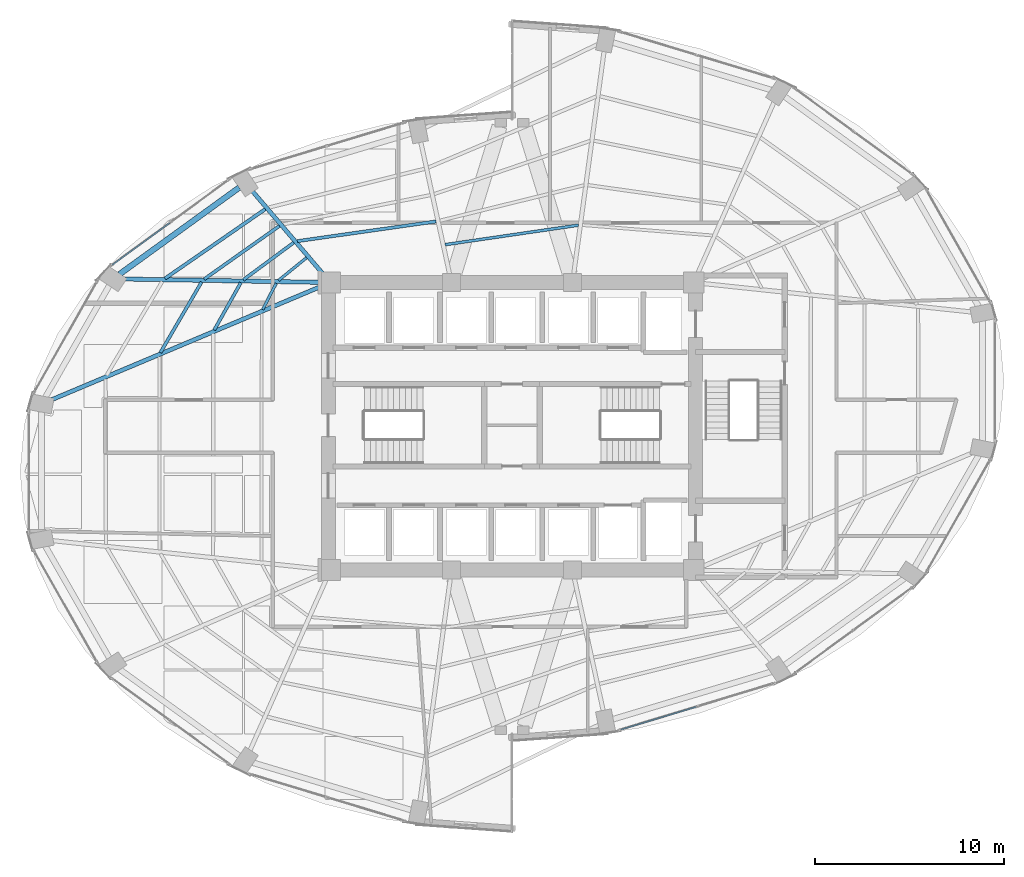
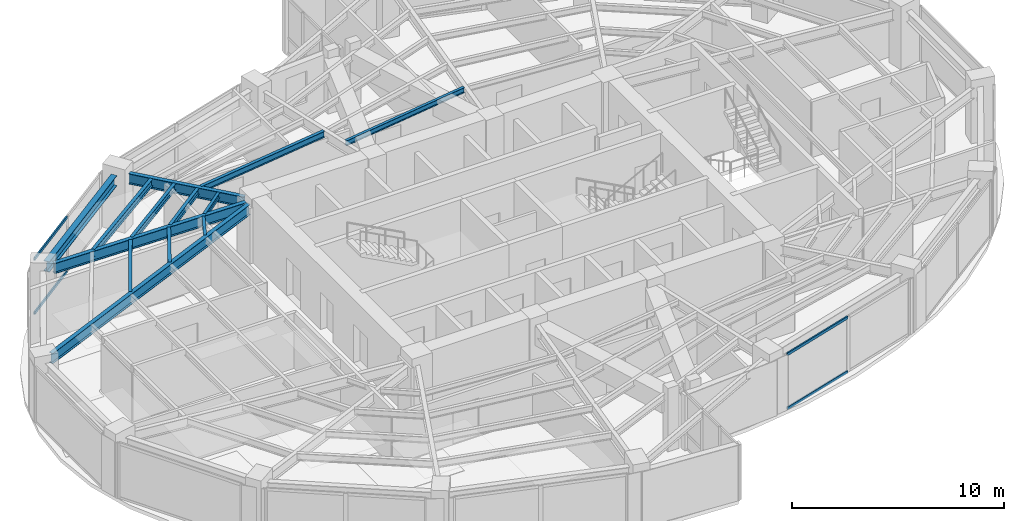
# One storey, part 9 of 24: 13 beams, 4 members, 2 elements without a shape of their own.
"""IFC4 building model written with IfcOpenShell, lengths in metres."""

from ifc_helpers import new_model, si_unit, direction, frame, origin, origin_2d, place, context, subcontext, project, spatial, hollow_rectangle, i_section, extrude, material, layer, layer_set, material_profile, profile_set, type_object, element, aggregate, save


model = new_model("IFC4")

# Units and contexts
model_context = context("Model", 3, precision=1e-05, world=origin(), true_north=direction((0.0, 1.0)))
body_context = subcontext(model_context, "Body", "Model", "MODEL_VIEW")
ifc_project = project(units=[si_unit("LENGTHUNIT", "METRE"), si_unit("AREAUNIT", "SQUARE_METRE"), si_unit("VOLUMEUNIT", "CUBIC_METRE"), si_unit("PLANEANGLEUNIT", "RADIAN"), si_unit("MASSUNIT", "GRAM", prefix="KILO")], contexts=[model_context])

# Site, building, storey
site_placement = place(None, origin())
site = spatial("IfcSite", under=ifc_project, at=site_placement, CompositionType="ELEMENT")
building_placement = place(site_placement, origin())
building = spatial("IfcBuilding", under=site, at=building_placement, Name="Lazwardi Medical Tower", CompositionType="ELEMENT")
storey_placement = place(building_placement, frame((0.0, 0.0, 129.16796875)))
storey = spatial("IfcBuildingStorey", under=building, at=storey_placement, Name="L33", CompositionType="ELEMENT", Elevation=129.16796875)

# Beams
ifc_material_1 = material(Name="Steel S355", Category="steel")
ifc_material_profile_1 = material_profile(ifc_material_1, i_section(OverallWidth=0.300048828125, OverallDepth=0.60009765625, WebThickness=0.015380859375, FlangeThickness=0.030029296875, at=origin_2d()), Name="HEB 600")
ifc_profile_set_1 = profile_set([ifc_material_profile_1], Name="Steel S355")
beam_type_1 = type_object("IfcBeamType", Name="BM-RB-Z2", PredefinedType="BEAM", material=ifc_profile_set_1)
beam_1_placement = place(storey_placement, frame((21.584228515625, 40.6171875, 2.89794921875), z_axis=(-0.810041907649, -0.586371987609, 0.0), x_axis=(0.586371987609, -0.810041907649, 0.0)))
element("IfcBeam", 1, at=beam_1_placement, inside=storey, type_object=beam_type_1, Name="Ring beam RB-03 B10 L33", PredefinedType="BEAM", context=body_context, shape_type="SweptSolid", body=[
    extrude(i_section(OverallWidth=0.300048828125, OverallDepth=0.60009765625, WebThickness=0.015380859375, FlangeThickness=0.030029296875, at=origin_2d()), origin(), (0.0, 0.0, 1.0), 7.814208984375),
])
ifc_material_profile_2 = material_profile(ifc_material_1, i_section(OverallWidth=0.219970703125, OverallDepth=0.60009765625, WebThickness=0.011962890625, FlangeThickness=0.01904296875, at=origin_2d()), Name="IPE 600")
ifc_profile_set_2 = profile_set([ifc_material_profile_2], Name="Steel S355")
beam_type_2 = type_object("IfcBeamType", Name="BM-RG-W1", PredefinedType="BEAM", material=ifc_profile_set_2)
beam_2_placement = place(storey_placement, frame((22.292724609375, 40.416259765625, 2.89794921875), z_axis=(0.648870567436, -0.760898801889, 0.0), x_axis=(0.760898801889, 0.648870567436, 0.0)))
element("IfcBeam", 2, at=beam_2_placement, inside=storey, type_object=beam_type_2, Name="Radial girder RG-02 R10 L33", PredefinedType="BEAM", context=body_context, shape_type="SweptSolid", body=[
    extrude(i_section(OverallWidth=0.219970703125, OverallDepth=0.60009765625, WebThickness=0.011962890625, FlangeThickness=0.01904296875, at=origin_2d()), origin(), (0.0, 0.0, 1.0), 5.794677734375),
])
beam_3_placement = place(storey_placement, frame((15.502197265625, 35.784912109375, 2.89794921875), z_axis=(0.99985616395, -0.016960289263, 0.0), x_axis=(0.016960289263, 0.99985616395, 0.0)))
element("IfcBeam", 3, at=beam_3_placement, inside=storey, type_object=beam_type_2, Name="Radial girder RG-02 R11 L33", PredefinedType="BEAM", context=body_context, shape_type="SweptSolid", body=[
    extrude(i_section(OverallWidth=0.219970703125, OverallDepth=0.60009765625, WebThickness=0.011962890625, FlangeThickness=0.01904296875, at=origin_2d()), origin(), (0.0, 0.0, 1.0), 10.3642578125),
])
beam_4_placement = place(storey_placement, frame((11.671630859375, 29.40478515625, 2.89794921875), z_axis=(0.921775176005, 0.38772480563, 0.0), x_axis=(-0.38772480563, 0.921775176005, 0.0)))
element("IfcBeam", 4, at=beam_4_placement, inside=storey, type_object=beam_type_2, Name="Radial girder RG-02 R12 L33", PredefinedType="BEAM", context=body_context, shape_type="SweptSolid", body=[
    extrude(i_section(OverallWidth=0.219970703125, OverallDepth=0.60009765625, WebThickness=0.011962890625, FlangeThickness=0.01904296875, at=origin_2d()), origin(), (0.0, 0.0, 1.0), 15.443359375),
])
ifc_material_profile_3 = material_profile(ifc_material_1, i_section(OverallWidth=0.179931640625, OverallDepth=0.39990234375, WebThickness=0.008544921875, FlangeThickness=0.013427734375, at=origin_2d()), Name="IPE 400")
ifc_profile_set_3 = profile_set([ifc_material_profile_3], Name="Steel S355")
beam_type_3 = type_object("IfcBeamType", Name="BM-SJ-01", PredefinedType="JOIST", material=ifc_profile_set_3)
beam_5_placement = place(storey_placement, frame((22.95849609375, 39.474609375, 2.998046875), z_axis=(-0.822376339068, -0.568943896128, 0.0), x_axis=(0.568943896128, -0.822376339068, 0.0)))
element("IfcBeam", 5, at=beam_5_placement, inside=storey, type_object=beam_type_3, Name="Secondary joist SJ-01 R1 B10 L33", PredefinedType="JOIST", context=body_context, shape_type="SweptSolid", body=[
    extrude(i_section(OverallWidth=0.179931640625, OverallDepth=0.39990234375, WebThickness=0.008544921875, FlangeThickness=0.013427734375, at=origin_2d()), origin(), (0.0, 0.0, 1.0), 6.44189453125),
])
ifc_material_profile_4 = material_profile(ifc_material_1, i_section(OverallWidth=0.169921875, OverallDepth=0.360107421875, WebThickness=0.008056640625, FlangeThickness=0.0126953125, at=origin_2d()), Name="IPE 360")
ifc_profile_set_4 = profile_set([ifc_material_profile_4], Name="Steel S355")
beam_type_4 = type_object("IfcBeamType", Name="BM-SJ-02", PredefinedType="JOIST", material=ifc_profile_set_4)
beam_6_placement = place(storey_placement, frame((23.7109375, 38.591796875, 3.01806640625), z_axis=(-0.816156371539, -0.577831097464, 0.0), x_axis=(0.577831097464, -0.816156371539, 0.0)))
element("IfcBeam", 6, at=beam_6_placement, inside=storey, type_object=beam_type_4, Name="Secondary joist SJ-02 R2 B10 L33", PredefinedType="JOIST", context=body_context, shape_type="SweptSolid", body=[
    extrude(i_section(OverallWidth=0.169921875, OverallDepth=0.360107421875, WebThickness=0.008056640625, FlangeThickness=0.0126953125, at=origin_2d()), origin(), (0.0, 0.0, 1.0), 4.8740234375),
])
beam_7_placement = place(storey_placement, frame((19.594482421875, 35.623779296875, 3.01806640625), z_axis=(-0.503544274258, -0.86396942299, 0.0), x_axis=(0.86396942299, -0.503544274258, 0.0)))
element("IfcBeam", 7, at=beam_7_placement, inside=storey, type_object=beam_type_4, Name="Secondary joist SJ-02 R2 B11 L33", PredefinedType="JOIST", context=body_context, shape_type="SweptSolid", body=[
    extrude(i_section(OverallWidth=0.169921875, OverallDepth=0.360107421875, WebThickness=0.008056640625, FlangeThickness=0.0126953125, at=origin_2d()), origin(), (0.0, 0.0, 1.0), 4.321044921875),
])
beam_8_placement = place(storey_placement, frame((31.988525390625, 38.8271484375, 3.01806640625), z_axis=(-0.990067108571, -0.140595592128, 0.0), x_axis=(0.140595592128, -0.990067108571, 0.0)))
element("IfcBeam", 8, at=beam_8_placement, inside=storey, type_object=beam_type_4, Name="Secondary joist SJ-02 R3 B09 L33", PredefinedType="JOIST", context=body_context, shape_type="SweptSolid", body=[
    extrude(i_section(OverallWidth=0.169921875, OverallDepth=0.360107421875, WebThickness=0.008056640625, FlangeThickness=0.0126953125, at=origin_2d()), origin(), (0.0, 0.0, 1.0), 7.409423828125),
])
beam_9_placement = place(storey_placement, frame((24.46435546875, 37.708251953125, 3.01806640625), z_axis=(-0.804125525058, -0.594459536008, 0.0), x_axis=(0.594459536008, -0.804125525058, 0.0)))
element("IfcBeam", 9, at=beam_9_placement, inside=storey, type_object=beam_type_4, Name="Secondary joist SJ-02 R3 B10 L33", PredefinedType="JOIST", context=body_context, shape_type="SweptSolid", body=[
    extrude(i_section(OverallWidth=0.169921875, OverallDepth=0.360107421875, WebThickness=0.008056640625, FlangeThickness=0.0126953125, at=origin_2d()), origin(), (0.0, 0.0, 1.0), 3.30810546875),
])
beam_10_placement = place(storey_placement, frame((21.66845703125, 35.587890625, 3.01806640625), z_axis=(-0.489860824278, -0.871800649711, 0.0), x_axis=(0.871800649711, -0.489860824278, 0.0)))
element("IfcBeam", 10, at=beam_10_placement, inside=storey, type_object=beam_type_4, Name="Secondary joist SJ-02 R3 B11 L33", PredefinedType="JOIST", context=body_context, shape_type="SweptSolid", body=[
    extrude(i_section(OverallWidth=0.169921875, OverallDepth=0.360107421875, WebThickness=0.008056640625, FlangeThickness=0.0126953125, at=origin_2d()), origin(), (0.0, 0.0, 1.0), 2.8662109375),
])
ifc_material_profile_5 = material_profile(ifc_material_1, i_section(OverallWidth=0.14990234375, OverallDepth=0.300048828125, WebThickness=0.007080078125, FlangeThickness=0.0107421875, at=origin_2d()), Name="IPE 300")
ifc_profile_set_5 = profile_set([ifc_material_profile_5], Name="Steel S355")
beam_type_5 = type_object("IfcBeamType", Name="BM-SJ-03", PredefinedType="JOIST", material=ifc_profile_set_5)
beam_11_placement = place(storey_placement, frame((39.511474609375, 38.62939453125, 3.048095703125), z_axis=(-0.98949221477, -0.144586157392, 0.0), x_axis=(0.144586157392, -0.98949221477, 0.0)))
element("IfcBeam", 11, at=beam_11_placement, inside=storey, type_object=beam_type_5, Name="Secondary joist SJ-03 R4 B08 L33", PredefinedType="JOIST", context=body_context, shape_type="SweptSolid", body=[
    extrude(i_section(OverallWidth=0.14990234375, OverallDepth=0.300048828125, WebThickness=0.007080078125, FlangeThickness=0.0107421875, at=origin_2d()), origin(), (0.0, 0.0, 1.0), 7.115478515625),
])
beam_12_placement = place(storey_placement, frame((25.14404296875, 36.910888671875, 3.048095703125), z_axis=(-0.77695773322, -0.629552762515, 0.0), x_axis=(0.629552762515, -0.77695773322, 0.0)))
element("IfcBeam", 12, at=beam_12_placement, inside=storey, type_object=beam_type_5, Name="Secondary joist SJ-03 R4 B10 L33", PredefinedType="JOIST", context=body_context, shape_type="SweptSolid", body=[
    extrude(i_section(OverallWidth=0.14990234375, OverallDepth=0.300048828125, WebThickness=0.007080078125, FlangeThickness=0.0107421875, at=origin_2d()), origin(), (0.0, 0.0, 1.0), 1.9013671875),
])
beam_13_placement = place(storey_placement, frame((23.537109375, 35.554443359375, 3.048095703125), z_axis=(-0.457956589674, -0.888974556427, 0.0), x_axis=(0.888974556427, -0.457956589674, 0.0)))
element("IfcBeam", 13, at=beam_13_placement, inside=storey, type_object=beam_type_5, Name="Secondary joist SJ-03 R4 B11 L33", PredefinedType="JOIST", context=body_context, shape_type="SweptSolid", body=[
    extrude(i_section(OverallWidth=0.14990234375, OverallDepth=0.300048828125, WebThickness=0.007080078125, FlangeThickness=0.0107421875, at=origin_2d()), origin(), (0.0, 0.0, 1.0), 1.558837890625),
])

# Curtain wall, members
ifc_material_2 = material(Name="Anodised bronze aluminium and solar control glazing", Category="aluminium")
ifc_layer = layer(ifc_material_2, 0.195068359375)
ifc_layer_set = layer_set([ifc_layer], Name="Anodised bronze aluminium and solar control glazing")
curtain_wall_type = type_object("IfcCurtainWallType", Name="CW-SYS-03", PredefinedType="NOTDEFINED", material=ifc_layer_set)
curtain_wall_1_placement = place(storey_placement, origin())
curtain_wall_1 = element("IfcCurtainWall", 14, at=curtain_wall_1_placement, inside=storey, type_object=curtain_wall_type, Name="L33 Unitised bronze curtain wall CW-03", PredefinedType="NOTDEFINED")
ifc_material_3 = material(Name="Anodised bronze aluminium", Category="aluminium")
ifc_material_profile_6 = material_profile(ifc_material_3, hollow_rectangle(XDim=0.074951171875, YDim=0.159912109375, WallThickness=0.00390625, at=origin_2d()), Name="ALU-TRANSOM 160x75x4")
ifc_profile_set_6 = profile_set([ifc_material_profile_6], Name="Anodised bronze aluminium")
member_type = type_object("IfcMemberType", Name="CW-TRN-01", PredefinedType="USERDEFINED", material=ifc_profile_set_6)
member_1_placement = place(storey_placement, frame((41.74609375, 11.970703125, 0.03759765625), z_axis=(0.957220865985, 0.289358279168, 0.0), x_axis=(-0.289358279168, 0.957220865985, 0.0)))
member_1 = element("IfcMember", 15, at=member_1_placement, type_object=member_type, Name="CW-03 transom 1.1", ObjectType="TRANSOM", PredefinedType="USERDEFINED", context=body_context, shape_type="SweptSolid", body=[
    extrude(hollow_rectangle(XDim=0.074951171875, YDim=0.159912109375, WallThickness=0.00390625, at=origin_2d()), origin(), (0.0, 0.0, 1.0), 4.16552734375),
])
member_2_placement = place(storey_placement, frame((41.74609375, 11.970703125, 3.16064453125), z_axis=(0.957220865985, 0.289358279168, 0.0), x_axis=(-0.289358279168, 0.957220865985, 0.0)))
member_2 = element("IfcMember", 16, at=member_2_placement, type_object=member_type, Name="CW-03 transom 1.2", ObjectType="TRANSOM", PredefinedType="USERDEFINED", context=body_context, shape_type="SweptSolid", body=[
    extrude(hollow_rectangle(XDim=0.074951171875, YDim=0.159912109375, WallThickness=0.00390625, at=origin_2d()), origin(), (0.0, 0.0, 1.0), 4.16552734375),
])
aggregate(curtain_wall_1, [member_1, member_2])

curtain_wall_2_placement = place(storey_placement, origin())
curtain_wall_2 = element("IfcCurtainWall", 17, at=curtain_wall_2_placement, inside=storey, type_object=curtain_wall_type, Name="L33 Unitised bronze curtain wall CW-03", PredefinedType="NOTDEFINED")
member_3_placement = place(storey_placement, frame((17.918701171875, 38.752197265625, 0.03759765625), z_axis=(-0.807731734271, -0.589550206049, 0.0), x_axis=(0.589550206049, -0.807731734271, 0.0)))
member_3 = element("IfcMember", 18, at=member_3_placement, type_object=member_type, Name="CW-03 transom 2.1", ObjectType="TRANSOM", PredefinedType="USERDEFINED", context=body_context, shape_type="SweptSolid", body=[
    extrude(hollow_rectangle(XDim=0.074951171875, YDim=0.159912109375, WallThickness=0.00390625, at=origin_2d()), origin(), (0.0, 0.0, 1.0), 3.767578125),
])
member_4_placement = place(storey_placement, frame((17.918701171875, 38.752197265625, 3.16064453125), z_axis=(-0.807731734271, -0.589550206049, 0.0), x_axis=(0.589550206049, -0.807731734271, 0.0)))
member_4 = element("IfcMember", 19, at=member_4_placement, type_object=member_type, Name="CW-03 transom 2.2", ObjectType="TRANSOM", PredefinedType="USERDEFINED", context=body_context, shape_type="SweptSolid", body=[
    extrude(hollow_rectangle(XDim=0.074951171875, YDim=0.159912109375, WallThickness=0.00390625, at=origin_2d()), origin(), (0.0, 0.0, 1.0), 3.767578125),
])
aggregate(curtain_wall_2, [member_3, member_4])

save(model, "model.ifc")
